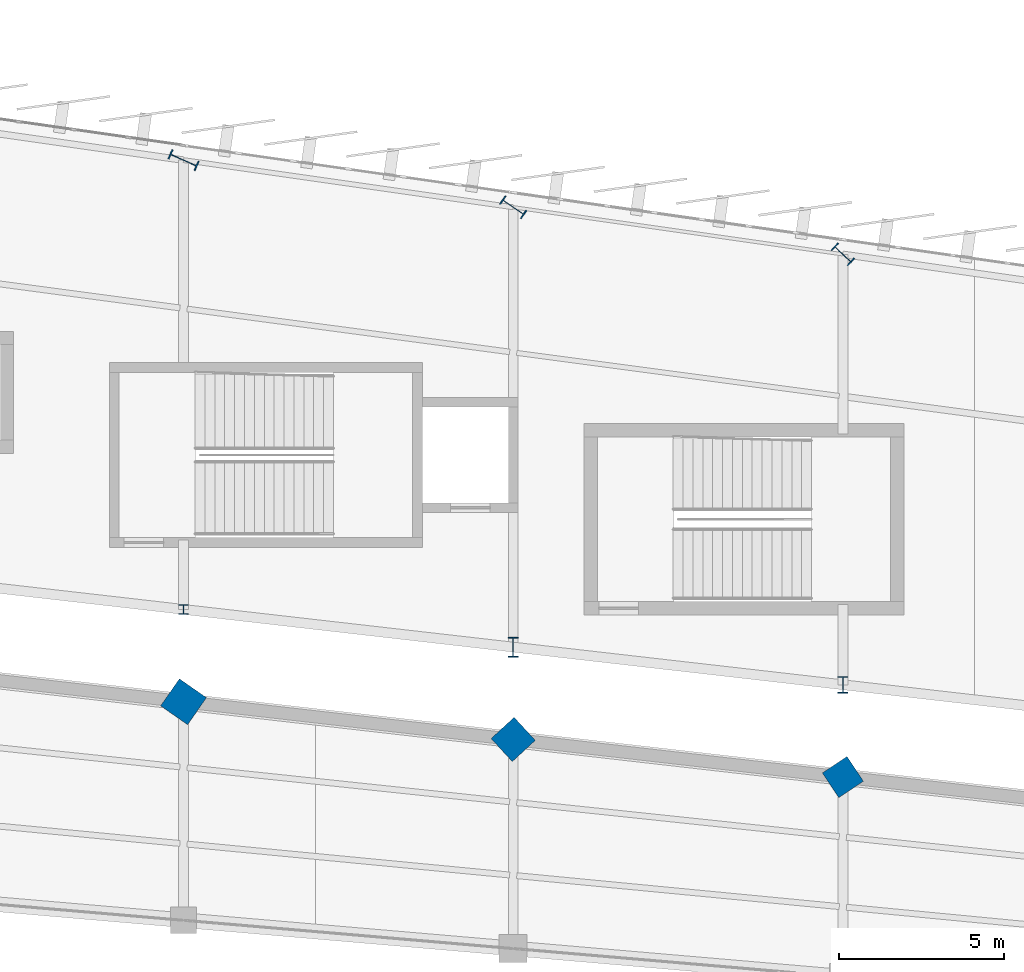
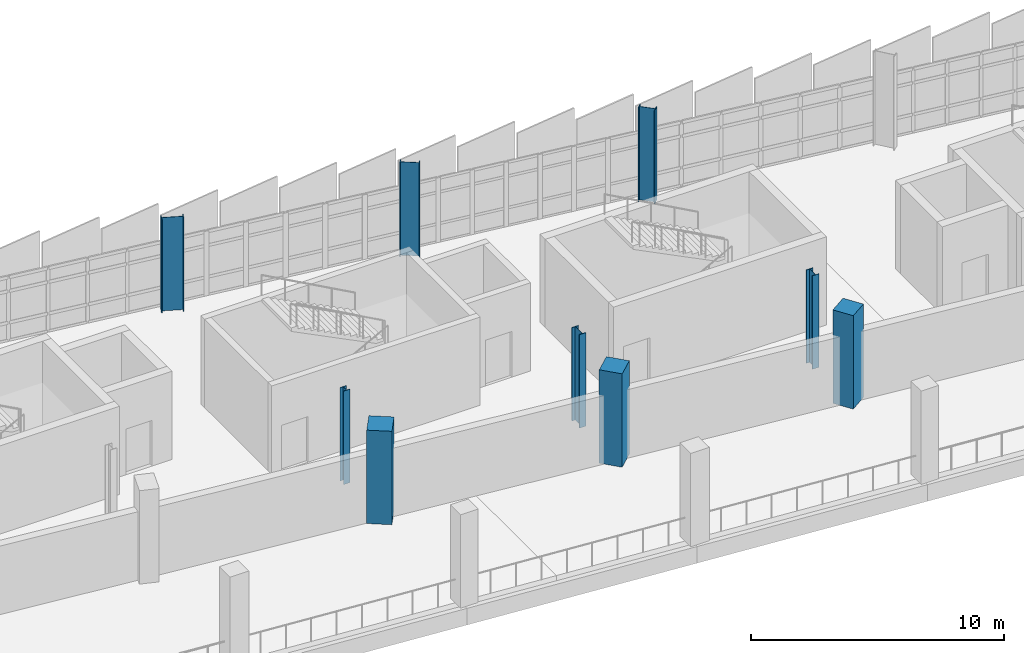
# One storey, part 17 of 125: 9 columns.
"""IFC4 building model written with IfcOpenShell, lengths in metres."""

from ifc_helpers import new_model, si_unit, direction, frame, origin, origin_2d, place, context, subcontext, project, spatial, rectangle, i_section, extrude, material, material_profile, profile_set, type_object, element, save


model = new_model("IFC4")

# Units and contexts
model_context = context("Model", 3, precision=1e-05, world=origin(), true_north=direction((0.0, 1.0)))
body_context = subcontext(model_context, "Body", "Model", "MODEL_VIEW")
ifc_project = project(units=[si_unit("LENGTHUNIT", "METRE"), si_unit("AREAUNIT", "SQUARE_METRE"), si_unit("VOLUMEUNIT", "CUBIC_METRE"), si_unit("PLANEANGLEUNIT", "RADIAN"), si_unit("MASSUNIT", "GRAM", prefix="KILO")], contexts=[model_context])

# Site, building, storey
site_placement = place(None, origin())
site = spatial("IfcSite", under=ifc_project, at=site_placement, CompositionType="ELEMENT")
building_placement = place(site_placement, origin())
building = spatial("IfcBuilding", under=site, at=building_placement, Name="Sohan Crest Arena", CompositionType="ELEMENT")
storey_placement = place(building_placement, frame((0.0, 0.0, 9.0)))
storey = spatial("IfcBuildingStorey", under=building, at=storey_placement, Name="L02", CompositionType="ELEMENT", Elevation=9.0)

# Columns
ifc_material_1 = material(Name="Concrete C40/50", Category="concrete")
ifc_material_profile_1 = material_profile(ifc_material_1, rectangle(XDim=0.89990234375, YDim=0.89990234375, at=origin_2d()), Name="RC 900x900")
ifc_profile_set_1 = profile_set([ifc_material_profile_1], Name="Concrete C40/50")
column_type_1 = type_object("IfcColumnType", Name="STR-COL-C07", PredefinedType="COLUMN", material=ifc_profile_set_1)
column_1_placement = place(storey_placement, frame((138.0, 104.428955078125, 0.0), z_axis=(0.0, 0.0, 1.0), x_axis=(0.833885822067, 0.551936985312, 0.0)))
element("IfcColumn", 1, at=column_1_placement, inside=storey, type_object=column_type_1, Name="Structural column COL-V1R-31-L02", PredefinedType="COLUMN", context=body_context, shape_type="SweptSolid", body=[
    extrude(rectangle(XDim=0.89990234375, YDim=0.89990234375, at=origin_2d()), origin(), (0.0, 0.0, 1.0), 4.5),
])
ifc_material_profile_2 = material_profile(ifc_material_1, rectangle(XDim=0.949951171875, YDim=0.949951171875, at=origin_2d()), Name="RC 950x950")
ifc_profile_set_2 = profile_set([ifc_material_profile_2], Name="Concrete C40/50")
column_type_2 = type_object("IfcColumnType", Name="STR-COL-C08", PredefinedType="COLUMN", material=ifc_profile_set_2)
column_2_placement = place(storey_placement, frame((128.0, 105.571044921875, 0.0), z_axis=(0.0, 0.0, 1.0), x_axis=(0.73609708712, 0.676875969683, 0.0)))
element("IfcColumn", 2, at=column_2_placement, inside=storey, type_object=column_type_2, Name="Structural column COL-V1R-32-L02", PredefinedType="COLUMN", context=body_context, shape_type="SweptSolid", body=[
    extrude(rectangle(XDim=0.949951171875, YDim=0.949951171875, at=origin_2d()), origin(), (0.0, 0.0, 1.0), 4.5),
])
ifc_material_profile_3 = material_profile(ifc_material_1, rectangle(XDim=1.0, YDim=1.0, at=origin_2d()), Name="RC 1000x1000")
ifc_profile_set_3 = profile_set([ifc_material_profile_3], Name="Concrete C40/50")
column_type_3 = type_object("IfcColumnType", Name="STR-COL-C09", PredefinedType="COLUMN", material=ifc_profile_set_3)
column_3_placement = place(storey_placement, frame((118.0, 106.714111328125, 0.0), z_axis=(0.0, 0.0, 1.0), x_axis=(0.572145873446, 0.820151875874, 0.0)))
element("IfcColumn", 3, at=column_3_placement, inside=storey, type_object=column_type_3, Name="Structural column COL-V1R-33-L02", PredefinedType="COLUMN", context=body_context, shape_type="SweptSolid", body=[
    extrude(rectangle(XDim=1.0, YDim=1.0, at=origin_2d()), origin(), (0.0, 0.0, 1.0), 4.5),
])
ifc_material_2 = material(Name="Steel S355", Category="steel")
ifc_material_profile_4 = material_profile(ifc_material_2, i_section(OverallWidth=0.300048828125, OverallDepth=0.300048828125, WebThickness=0.010986328125, FlangeThickness=0.01904296875, at=origin_2d()), Name="HEB 300")
ifc_profile_set_4 = profile_set([ifc_material_profile_4], Name="Steel S355")
column_type_4 = type_object("IfcColumnType", Name="STR-COL-C17", PredefinedType="COLUMN", material=ifc_profile_set_4)
column_4_placement = place(storey_placement, frame((118.0, 109.513916015625, 0.0), z_axis=(0.0, 0.0, 1.0), x_axis=(1.0, 0.0, 0.0)))
element("IfcColumn", 4, at=column_4_placement, inside=storey, type_object=column_type_4, Name="Structural column COL-V2I-33-L02", PredefinedType="COLUMN", context=body_context, shape_type="SweptSolid", body=[
    extrude(i_section(OverallWidth=0.300048828125, OverallDepth=0.300048828125, WebThickness=0.010986328125, FlangeThickness=0.01904296875, at=origin_2d()), origin(), (0.0, 0.0, 1.0), 4.5),
])
ifc_material_profile_5 = material_profile(ifc_material_2, i_section(OverallWidth=0.300048828125, OverallDepth=0.5, WebThickness=0.014404296875, FlangeThickness=0.028076171875, at=origin_2d()), Name="HEB 500")
ifc_profile_set_5 = profile_set([ifc_material_profile_5], Name="Steel S355")
column_type_5 = type_object("IfcColumnType", Name="STR-COL-C19", PredefinedType="COLUMN", material=ifc_profile_set_5)
column_5_placement = place(storey_placement, frame((138.0, 107.22900390625, 0.0), z_axis=(0.0, 0.0, 1.0), x_axis=(1.0, 0.0, 0.0)))
element("IfcColumn", 5, at=column_5_placement, inside=storey, type_object=column_type_5, Name="Structural column COL-V2I-31-L02", PredefinedType="COLUMN", context=body_context, shape_type="SweptSolid", body=[
    extrude(i_section(OverallWidth=0.300048828125, OverallDepth=0.5, WebThickness=0.014404296875, FlangeThickness=0.028076171875, at=origin_2d()), origin(), (0.0, 0.0, 1.0), 4.5),
])
ifc_material_profile_6 = material_profile(ifc_material_2, i_section(OverallWidth=0.300048828125, OverallDepth=0.60009765625, WebThickness=0.015380859375, FlangeThickness=0.030029296875, at=origin_2d()), Name="HEB 600")
ifc_profile_set_6 = profile_set([ifc_material_profile_6], Name="Steel S355")
column_type_6 = type_object("IfcColumnType", Name="STR-COL-C20", PredefinedType="COLUMN", material=ifc_profile_set_6)
column_6_placement = place(storey_placement, frame((128.0, 108.37109375, 0.0), z_axis=(0.0, 0.0, 1.0), x_axis=(1.0, 0.0, 0.0)))
element("IfcColumn", 6, at=column_6_placement, inside=storey, type_object=column_type_6, Name="Structural column COL-V2I-32-L02", PredefinedType="COLUMN", context=body_context, shape_type="SweptSolid", body=[
    extrude(i_section(OverallWidth=0.300048828125, OverallDepth=0.60009765625, WebThickness=0.015380859375, FlangeThickness=0.030029296875, at=origin_2d()), origin(), (0.0, 0.0, 1.0), 4.5),
])
ifc_material_profile_7 = material_profile(ifc_material_2, i_section(OverallWidth=0.300048828125, OverallDepth=0.699951171875, WebThickness=0.01708984375, FlangeThickness=0.031982421875, at=origin_2d()), Name="HEB 700")
ifc_profile_set_7 = profile_set([ifc_material_profile_7], Name="Steel S355")
column_type_7 = type_object("IfcColumnType", Name="STR-COL-C21", PredefinedType="COLUMN", material=ifc_profile_set_7)
column_7_placement = place(storey_placement, frame((138.0, 120.285888671875, 0.0), z_axis=(0.0, 0.0, 1.0), x_axis=(0.687087510804, 0.726574670971, 0.0)))
element("IfcColumn", 7, at=column_7_placement, inside=storey, type_object=column_type_7, Name="Structural column COL-V2O-31-L02", PredefinedType="COLUMN", context=body_context, shape_type="SweptSolid", body=[
    extrude(i_section(OverallWidth=0.300048828125, OverallDepth=0.699951171875, WebThickness=0.01708984375, FlangeThickness=0.031982421875, at=origin_2d()), origin(), (0.0, 0.0, 1.0), 4.5),
])
ifc_material_profile_8 = material_profile(ifc_material_2, i_section(OverallWidth=0.300048828125, OverallDepth=0.800048828125, WebThickness=0.017578125, FlangeThickness=0.032958984375, at=origin_2d()), Name="HEB 800")
ifc_profile_set_8 = profile_set([ifc_material_profile_8], Name="Steel S355")
column_type_8 = type_object("IfcColumnType", Name="STR-COL-C22", PredefinedType="COLUMN", material=ifc_profile_set_8)
column_8_placement = place(storey_placement, frame((128.0, 121.714111328125, 0.0), z_axis=(0.0, 0.0, 1.0), x_axis=(0.566406236925, 0.824126188622, 0.0)))
element("IfcColumn", 8, at=column_8_placement, inside=storey, type_object=column_type_8, Name="Structural column COL-V2O-32-L02", PredefinedType="COLUMN", context=body_context, shape_type="SweptSolid", body=[
    extrude(i_section(OverallWidth=0.300048828125, OverallDepth=0.800048828125, WebThickness=0.017578125, FlangeThickness=0.032958984375, at=origin_2d()), origin(), (0.0, 0.0, 1.0), 4.5),
])
ifc_material_profile_9 = material_profile(ifc_material_2, i_section(OverallWidth=0.300048828125, OverallDepth=0.89990234375, WebThickness=0.0185546875, FlangeThickness=0.034912109375, at=origin_2d()), Name="HEB 900")
ifc_profile_set_9 = profile_set([ifc_material_profile_9], Name="Steel S355")
column_type_9 = type_object("IfcColumnType", Name="STR-COL-C23", PredefinedType="COLUMN", material=ifc_profile_set_9)
column_9_placement = place(storey_placement, frame((118.0, 123.14306640625, 0.0), z_axis=(0.0, 0.0, 1.0), x_axis=(0.40514158678, 0.914253955234, 0.0)))
element("IfcColumn", 9, at=column_9_placement, inside=storey, type_object=column_type_9, Name="Structural column COL-V2O-33-L02", PredefinedType="COLUMN", context=body_context, shape_type="SweptSolid", body=[
    extrude(i_section(OverallWidth=0.300048828125, OverallDepth=0.89990234375, WebThickness=0.0185546875, FlangeThickness=0.034912109375, at=origin_2d()), origin(), (0.0, 0.0, 1.0), 4.5),
])

save(model, "model.ifc")
